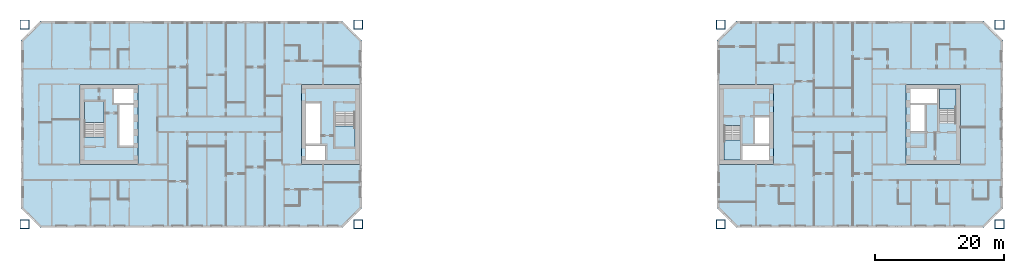
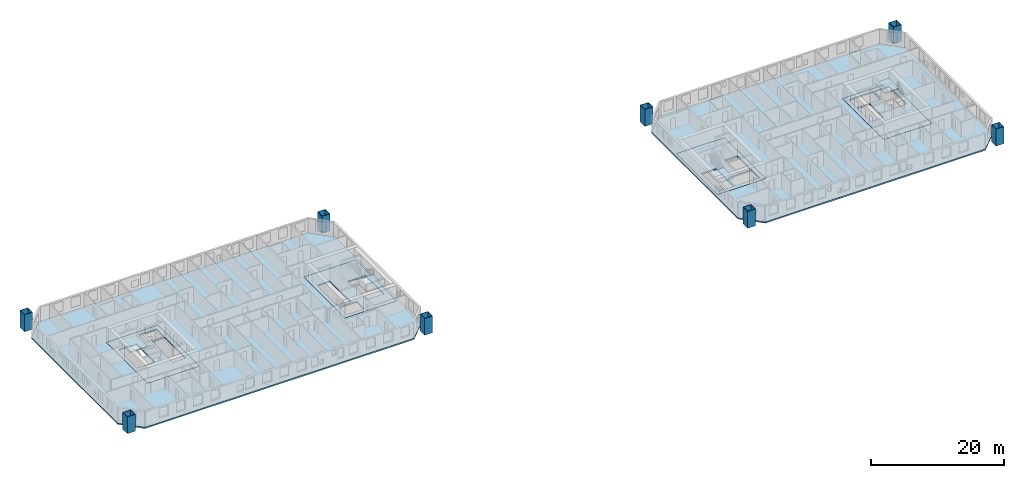
# One storey, part 1 of 17: 10 slabs, 8 columns, 4 elements without a shape of their own.
"""IFC4 building model written with IfcOpenShell, lengths in metres."""

from ifc_helpers import new_model, si_unit, direction, frame, origin, origin_2d, place, context, subcontext, project, spatial, polyline, hollow_rectangle, outline, extrude, material, layer, layer_set, material_profile, profile_set, type_object, element, aggregate, save


model = new_model("IFC4")

# Units and contexts
model_context = context("Model", 3, precision=1e-05, world=origin(), true_north=direction((0.0, 1.0)))
body_context = subcontext(model_context, "Body", "Model", "MODEL_VIEW")
ifc_project = project(units=[si_unit("LENGTHUNIT", "METRE"), si_unit("AREAUNIT", "SQUARE_METRE"), si_unit("VOLUMEUNIT", "CUBIC_METRE"), si_unit("PLANEANGLEUNIT", "RADIAN"), si_unit("MASSUNIT", "GRAM", prefix="KILO")], contexts=[model_context])

# Site, building, storey
site_placement = place(None, origin())
site = spatial("IfcSite", under=ifc_project, at=site_placement, CompositionType="ELEMENT")
building_placement = place(site_placement, origin())
building = spatial("IfcBuilding", under=site, at=building_placement, Name="Tuart Gate Housing", CompositionType="ELEMENT")
storey_placement = place(building_placement, frame((0.0, 0.0, 80.89990234375)))
storey = spatial("IfcBuildingStorey", under=building, at=storey_placement, Name="L22", CompositionType="ELEMENT", Elevation=80.89990234375)

# Columns
ifc_material_1 = material(Name="Steel Grade 350", Category="steel")
ifc_material_profile = material_profile(ifc_material_1, hollow_rectangle(XDim=1.39990234375, YDim=1.39990234375, WallThickness=0.074951171875, at=origin_2d()), Name="BOX 1400x1400x75")
ifc_profile_set = profile_set([ifc_material_profile], Name="Steel Grade 350")
column_type = type_object("IfcColumnType", Name="Mega column BOX 1400x1400x75", PredefinedType="COLUMN", material=ifc_profile_set)
for number, where, z_axis, x_axis, name in (
    (1, (23.800048828125, 54.550048828125, 0.0), (0.0, 0.0, 1.0), (1.0, 0.0, 0.0), "Mega column A south-west L22"),
    (2, (75.449951171875, 54.550048828125, 0.0), (0.0, 0.0, 1.0), (1.0, 0.0, 0.0), "Mega column A south-east L22"),
    (3, (75.449951171875, 85.449951171875, 0.0), (0.0, 0.0, 1.0), (1.0, 0.0, 0.0), "Mega column A north-east L22"),
    (4, (23.800048828125, 85.449951171875, 0.0), (0.0, 0.0, 1.0), (1.0, 0.0, 0.0), "Mega column A north-west L22"),
    (5, (131.550048828125, 54.550048828125, 0.0), (0.0, 0.0, 1.0), (1.0, 0.0, 0.0), "Mega column B south-west L22"),
    (6, (174.699951171875, 54.550048828125, 0.0), (0.0, 0.0, 1.0), (1.0, 0.0, 0.0), "Mega column B south-east L22"),
    (7, (174.699951171875, 85.449951171875, 0.0), (0.0, 0.0, 1.0), (1.0, 0.0, 0.0), "Mega column B north-east L22"),
    (8, (131.550048828125, 85.449951171875, 0.0), (0.0, 0.0, 1.0), (1.0, 0.0, 0.0), "Mega column B north-west L22"),
):
    element("IfcColumn", number, at=place(storey_placement, frame(where, z_axis=z_axis, x_axis=x_axis)), inside=storey, type_object=column_type, Name=name, PredefinedType="COLUMN", context=body_context, shape_type="SweptSolid", body=[
        extrude(hollow_rectangle(XDim=1.39990234375, YDim=1.39990234375, WallThickness=0.074951171875, at=origin_2d()), origin(), (0.0, 0.0, 1.0), 3.10009765625),
    ])

# Slabs
ifc_material_2 = material(Name="Concrete C40", Category="concrete")
ifc_layer_1 = layer(ifc_material_2, 0.25)
ifc_layer_set_1 = layer_set([ifc_layer_1], Name="Core floor slab 250")
slab_type_1 = type_object("IfcSlabType", Name="Core floor slab 250", PredefinedType="FLOOR", material=ifc_layer_set_1)
slab_1_placement = place(storey_placement, frame((0.0, 0.0, -0.25)))
element("IfcSlab", 9, at=slab_1_placement, inside=storey, type_object=slab_type_1, Name="Core floor AG", PredefinedType="FLOOR", context=body_context, shape_type="SweptSolid", body=[
    extrude(outline(polyline([(66.639892578125, 63.800048828125), (75.639892578125, 63.800048828125), (75.639892578125, 76.199951171875), (66.639892578125, 76.199951171875), (66.639892578125, 63.800048828125)]), holes=[polyline([(67.340087890625, 64.5), (70.360107421875, 64.5), (70.360107421875, 66.699951171875), (67.340087890625, 66.699951171875), (67.340087890625, 64.5)]), polyline([(67.340087890625, 67.0), (69.5400390625, 67.0), (69.5400390625, 73.300048828125), (67.340087890625, 73.300048828125), (67.340087890625, 67.0)]), polyline([(71.889892578125, 66.35009765625), (74.93994140625, 66.35009765625), (74.93994140625, 71.929931640625), (71.889892578125, 71.929931640625), (71.889892578125, 66.35009765625)])]), origin(), (0.0, 0.0, 1.0), 0.25),
])
slab_2_placement = place(storey_placement, frame((0.0, 0.0, -0.25)))
element("IfcSlab", 10, at=slab_2_placement, inside=storey, type_object=slab_type_1, Name="Core floor AK", PredefinedType="FLOOR", context=body_context, shape_type="SweptSolid", body=[
    extrude(outline(polyline([(32.360107421875, 63.800048828125), (41.360107421875, 63.800048828125), (41.360107421875, 76.199951171875), (32.360107421875, 76.199951171875), (32.360107421875, 63.800048828125)]), holes=[polyline([(40.659912109375, 75.5), (37.639892578125, 75.5), (37.639892578125, 73.300048828125), (40.659912109375, 73.300048828125), (40.659912109375, 75.5)]), polyline([(40.659912109375, 73.0), (38.4599609375, 73.0), (38.4599609375, 66.699951171875), (40.659912109375, 66.699951171875), (40.659912109375, 73.0)]), polyline([(36.110107421875, 73.64990234375), (33.06005859375, 73.64990234375), (33.06005859375, 68.070068359375), (36.110107421875, 68.070068359375), (36.110107421875, 73.64990234375)])]), origin(), (0.0, 0.0, 1.0), 0.25),
])
slab_3_placement = place(storey_placement, frame((0.0, 0.0, -0.25)))
element("IfcSlab", 11, at=slab_3_placement, inside=storey, type_object=slab_type_1, Name="Core floor BG", PredefinedType="FLOOR", context=body_context, shape_type="SweptSolid", body=[
    extrude(outline(polyline([(131.360107421875, 63.800048828125), (139.760009765625, 63.800048828125), (139.760009765625, 76.199951171875), (131.360107421875, 76.199951171875), (131.360107421875, 63.800048828125)]), holes=[polyline([(139.06005859375, 66.85009765625), (134.909912109375, 66.85009765625), (134.909912109375, 64.5), (139.06005859375, 64.5), (139.06005859375, 66.85009765625)]), polyline([(139.06005859375, 71.10009765625), (136.860107421875, 71.10009765625), (136.860107421875, 67.0), (139.06005859375, 67.0), (139.06005859375, 71.10009765625)]), polyline([(134.610107421875, 69.830078125), (132.06005859375, 69.830078125), (132.06005859375, 64.5), (134.610107421875, 64.5), (134.610107421875, 69.830078125)])]), origin(), (0.0, 0.0, 1.0), 0.25),
])
slab_4_placement = place(storey_placement, frame((0.0, 0.0, -0.25)))
element("IfcSlab", 12, at=slab_4_placement, inside=storey, type_object=slab_type_1, Name="Core floor BK", PredefinedType="FLOOR", context=body_context, shape_type="SweptSolid", body=[
    extrude(outline(polyline([(160.239990234375, 63.800048828125), (168.639892578125, 63.800048828125), (168.639892578125, 76.199951171875), (160.239990234375, 76.199951171875), (160.239990234375, 63.800048828125)]), holes=[polyline([(160.93994140625, 73.14990234375), (165.090087890625, 73.14990234375), (165.090087890625, 75.5), (160.93994140625, 75.5), (160.93994140625, 73.14990234375)]), polyline([(160.93994140625, 68.89990234375), (163.139892578125, 68.89990234375), (163.139892578125, 73.0), (160.93994140625, 73.0), (160.93994140625, 68.89990234375)]), polyline([(165.389892578125, 70.169921875), (167.93994140625, 70.169921875), (167.93994140625, 75.5), (165.389892578125, 75.5), (165.389892578125, 70.169921875)])]), origin(), (0.0, 0.0, 1.0), 0.25),
])
ifc_material_3 = material(Name="Concrete C40", Category="concrete")
ifc_layer_2 = layer(ifc_material_3, 0.25)
ifc_layer_set_2 = layer_set([ifc_layer_2], Name="Flat plate 250")
slab_type_2 = type_object("IfcSlabType", Name="Flat plate 250", PredefinedType="FLOOR", material=ifc_layer_set_2)
slab_5_placement = place(storey_placement, frame((0.0, 0.0, -0.25)))
element("IfcSlab", 13, at=slab_5_placement, inside=storey, type_object=slab_type_2, Name="Floor slab A L22", PredefinedType="FLOOR", context=body_context, shape_type="SweptSolid", body=[
    extrude(outline(polyline([(26.25, 86.0), (23.25, 83.0), (23.25, 57.0), (26.25, 54.0), (73.0, 54.0), (76.0, 57.0), (76.0, 83.0), (73.0, 86.0), (26.25, 86.0)]), holes=[polyline([(66.639892578125, 76.199951171875), (75.639892578125, 76.199951171875), (75.639892578125, 63.800048828125), (66.639892578125, 63.800048828125), (66.639892578125, 76.199951171875)]), polyline([(41.360107421875, 76.199951171875), (41.360107421875, 63.800048828125), (32.360107421875, 63.800048828125), (32.360107421875, 76.199951171875), (41.360107421875, 76.199951171875)])]), origin(), (0.0, 0.0, 1.0), 0.25),
])
slab_6_placement = place(storey_placement, frame((0.0, 0.0, -0.25)))
element("IfcSlab", 14, at=slab_6_placement, inside=storey, type_object=slab_type_2, Name="Floor slab B L22", PredefinedType="FLOOR", context=body_context, shape_type="SweptSolid", body=[
    extrude(outline(polyline([(134.0, 86.0), (131.0, 83.0), (131.0, 57.0), (134.0, 54.0), (172.25, 54.0), (175.25, 57.0), (175.25, 83.0), (172.25, 86.0), (134.0, 86.0)]), holes=[polyline([(131.360107421875, 76.199951171875), (139.760009765625, 76.199951171875), (139.760009765625, 63.800048828125), (131.360107421875, 63.800048828125), (131.360107421875, 76.199951171875)]), polyline([(168.639892578125, 76.199951171875), (168.639892578125, 63.800048828125), (160.239990234375, 63.800048828125), (160.239990234375, 76.199951171875), (168.639892578125, 76.199951171875)])]), origin(), (0.0, 0.0, 1.0), 0.25),
])

# Stair, slab
ifc_material_4 = material(Name="Concrete C40", Category="concrete")
stair_type_1 = type_object("IfcStairType", Name="Core stair 1500", PredefinedType="HALF_TURN_STAIR", material=ifc_material_4)
stair_1_placement = place(storey_placement, origin())
stair_1 = element("IfcStair", 15, at=stair_1_placement, inside=storey, type_object=stair_type_1, Name="Stair SA1", PredefinedType="HALF_TURN_STAIR")
ifc_material_5 = material(Name="Concrete C40", Category="concrete")
ifc_layer_3 = layer(ifc_material_5, 0.199951171875)
ifc_layer_set_3 = layer_set([ifc_layer_3], Name="Stair landing 200")
slab_type_3 = type_object("IfcSlabType", Name="Stair landing 200", PredefinedType="LANDING", material=ifc_layer_set_3)
slab_7_placement = place(storey_placement, frame((0.0, 0.0, 1.35009765625)))
slab_7 = element("IfcSlab", 16, at=slab_7_placement, type_object=slab_type_3, Name="SA1 landing 1", PredefinedType="LANDING", context=body_context, shape_type="SweptSolid", body=[
    extrude(outline(polyline([(71.889892578125, 66.35009765625), (74.93994140625, 66.35009765625), (74.93994140625, 69.7099609375), (71.889892578125, 69.7099609375), (71.889892578125, 66.35009765625)])), origin(), (0.0, 0.0, 1.0), 0.199951171875),
])
aggregate(stair_1, [slab_7])

stair_2_placement = place(storey_placement, origin())
stair_2 = element("IfcStair", 17, at=stair_2_placement, inside=storey, type_object=stair_type_1, Name="Stair SA2", PredefinedType="HALF_TURN_STAIR")
slab_8_placement = place(storey_placement, frame((0.0, 0.0, 1.35009765625)))
slab_8 = element("IfcSlab", 18, at=slab_8_placement, type_object=slab_type_3, Name="SA2 landing 1", PredefinedType="LANDING", context=body_context, shape_type="SweptSolid", body=[
    extrude(outline(polyline([(36.110107421875, 73.64990234375), (33.06005859375, 73.64990234375), (33.06005859375, 70.2900390625), (36.110107421875, 70.2900390625), (36.110107421875, 73.64990234375)])), origin(), (0.0, 0.0, 1.0), 0.199951171875),
])
aggregate(stair_2, [slab_8])

ifc_material_6 = material(Name="Concrete C40", Category="concrete")
stair_type_2 = type_object("IfcStairType", Name="Core stair 1250", PredefinedType="HALF_TURN_STAIR", material=ifc_material_6)
stair_3_placement = place(storey_placement, origin())
stair_3 = element("IfcStair", 19, at=stair_3_placement, inside=storey, type_object=stair_type_2, Name="Stair SB1", PredefinedType="HALF_TURN_STAIR")
slab_9_placement = place(storey_placement, frame((0.0, 0.0, 1.35009765625)))
slab_9 = element("IfcSlab", 20, at=slab_9_placement, type_object=slab_type_3, Name="SB1 landing 1", PredefinedType="LANDING", context=body_context, shape_type="SweptSolid", body=[
    extrude(outline(polyline([(134.610107421875, 67.610107421875), (132.06005859375, 67.610107421875), (132.06005859375, 64.5), (134.610107421875, 64.5), (134.610107421875, 67.610107421875)])), origin(), (0.0, 0.0, 1.0), 0.199951171875),
])
aggregate(stair_3, [slab_9])

stair_4_placement = place(storey_placement, origin())
stair_4 = element("IfcStair", 21, at=stair_4_placement, inside=storey, type_object=stair_type_2, Name="Stair SB2", PredefinedType="HALF_TURN_STAIR")
slab_10_placement = place(storey_placement, frame((0.0, 0.0, 1.35009765625)))
slab_10 = element("IfcSlab", 22, at=slab_10_placement, type_object=slab_type_3, Name="SB2 landing 1", PredefinedType="LANDING", context=body_context, shape_type="SweptSolid", body=[
    extrude(outline(polyline([(165.389892578125, 72.389892578125), (167.93994140625, 72.389892578125), (167.93994140625, 75.5), (165.389892578125, 75.5), (165.389892578125, 72.389892578125)])), origin(), (0.0, 0.0, 1.0), 0.199951171875),
])
aggregate(stair_4, [slab_10])

save(model, "model.ifc")
